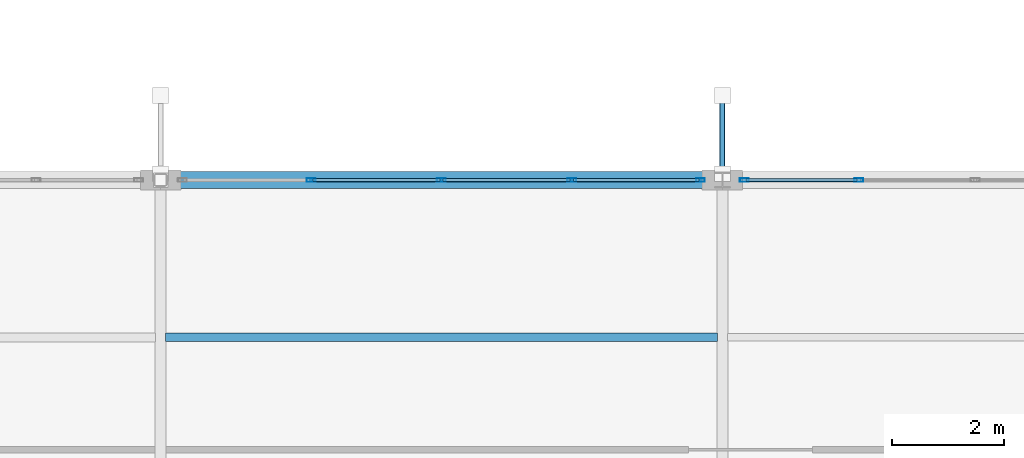
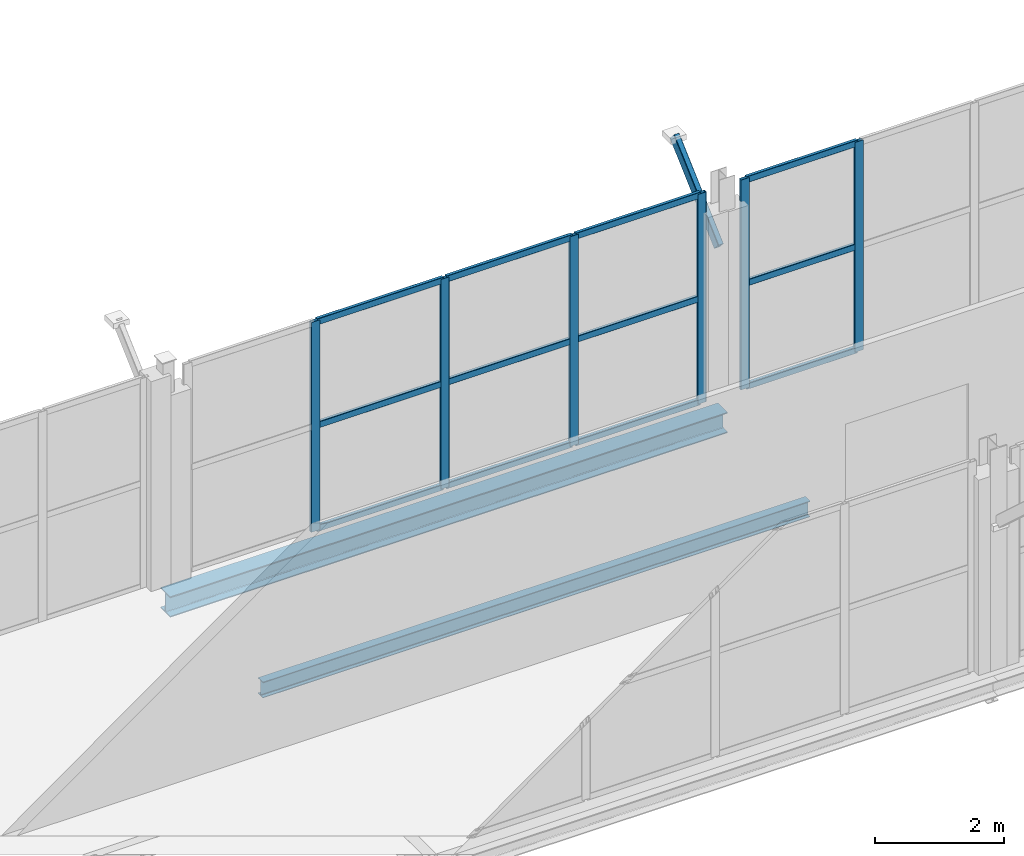
# One storey, part 60 of 101: 19 members, 2 beams, 2 elements without a shape of their own.
"""IFC4 building model written with IfcOpenShell, lengths in metres."""

from ifc_helpers import new_model, si_unit, direction, frame, origin, origin_2d, place, context, subcontext, project, spatial, hollow_rectangle, i_section, extrude, material, layer, layer_set, material_profile, profile_set, type_object, element, aggregate, save


model = new_model("IFC4")

# Units and contexts
model_context = context("Model", 3, precision=1e-05, world=origin(), true_north=direction((0.0, 1.0)))
body_context = subcontext(model_context, "Body", "Model", "MODEL_VIEW")
ifc_project = project(units=[si_unit("LENGTHUNIT", "METRE"), si_unit("AREAUNIT", "SQUARE_METRE"), si_unit("VOLUMEUNIT", "CUBIC_METRE"), si_unit("PLANEANGLEUNIT", "RADIAN"), si_unit("MASSUNIT", "GRAM", prefix="KILO")], contexts=[model_context])

# Site, building, storey
site_placement = place(None, origin())
site = spatial("IfcSite", under=ifc_project, at=site_placement, CompositionType="ELEMENT")
building_placement = place(site_placement, origin())
building = spatial("IfcBuilding", under=site, at=building_placement, Name="Vekula Escarpment Museum", CompositionType="ELEMENT")
storey_placement = place(building_placement, frame((0.0, 0.0, 18.0)))
storey = spatial("IfcBuildingStorey", under=building, at=storey_placement, Name="L04", CompositionType="ELEMENT", Elevation=18.0)

# Beams
ifc_material_1 = material(Name="Steel S355", Category="steel")
ifc_material_profile_1 = material_profile(ifc_material_1, i_section(OverallWidth=0.14990234375, OverallDepth=0.300048828125, WebThickness=0.007080078125, FlangeThickness=0.0107421875, FilletRadius=0.014892578125, at=origin_2d()), Name="IPE 300")
ifc_profile_set_1 = profile_set([ifc_material_profile_1], Name="Steel S355")
beam_type_1 = type_object("IfcBeamType", Name="BM-JST-IPE300", PredefinedType="JOIST", material=ifc_profile_set_1)
beam_1_placement = place(storey_placement, frame((136.090087890625, 73.60009765625, -0.389892578125), z_axis=(1.0, 0.0, 0.0), x_axis=(0.0, 1.0, 0.0)))
element("IfcBeam", 1, at=beam_1_placement, inside=storey, type_object=beam_type_1, Name="Secondary Joist L04 1241", PredefinedType="JOIST", context=body_context, shape_type="SweptSolid", body=[
    extrude(i_section(OverallWidth=0.14990234375, OverallDepth=0.300048828125, WebThickness=0.007080078125, FlangeThickness=0.0107421875, FilletRadius=0.014892578125, at=origin_2d()), origin(), (0.0, 0.0, 1.0), 9.81982421875),
])
ifc_material_2 = material(Name="Steel S355", Category="steel")
ifc_material_profile_2 = material_profile(ifc_material_2, i_section(OverallWidth=0.300048828125, OverallDepth=0.389892578125, WebThickness=0.010986328125, FlangeThickness=0.01904296875, FilletRadius=0.027099609375, at=origin_2d()), Name="HEA 400")
ifc_profile_set_2 = profile_set([ifc_material_profile_2], Name="Steel S355")
beam_type_2 = type_object("IfcBeamType", Name="BM-SPAN-HEA400", PredefinedType="SPANDREL", material=ifc_profile_set_2)
beam_2_placement = place(storey_placement, frame((136.0, 76.39990234375, -0.43505859375), z_axis=(1.0, 0.0, 0.0), x_axis=(0.0, 1.0, 0.0)))
element("IfcBeam", 2, at=beam_2_placement, inside=storey, type_object=beam_type_2, Name="Beam X L04 1757", PredefinedType="SPANDREL", context=body_context, shape_type="SweptSolid", body=[
    extrude(i_section(OverallWidth=0.300048828125, OverallDepth=0.389892578125, WebThickness=0.010986328125, FlangeThickness=0.01904296875, FilletRadius=0.027099609375, at=origin_2d()), origin(), (0.0, 0.0, 1.0), 10.0),
])

# Curtain wall, members
ifc_material_3 = material(Name="Aluminium thermally broken framing", Category="aluminium")
ifc_layer_1 = layer(ifc_material_3, 0.14990234375)
ifc_layer_set_1 = layer_set([ifc_layer_1], Name="Aluminium thermally broken framing")
curtain_wall_type_1 = type_object("IfcCurtainWallType", Name="CW-SYS-09", PredefinedType="NOTDEFINED", material=ifc_layer_set_1)
curtain_wall_1_placement = place(storey_placement, origin())
curtain_wall_1 = element("IfcCurtainWall", 3, at=curtain_wall_1_placement, inside=storey, type_object=curtain_wall_type_1, Name="Curtain Wall CW-L04-149", PredefinedType="NOTDEFINED")
ifc_material_4 = material(Name="Aluminium anodized mullion", Category="aluminium")
ifc_material_profile_3 = material_profile(ifc_material_4, hollow_rectangle(XDim=0.06005859375, YDim=0.159912109375, WallThickness=0.00390625, InnerFilletRadius=0.00390625, OuterFilletRadius=0.008056640625, at=origin_2d()), Name="ALU 160x60x4")
ifc_profile_set_3 = profile_set([ifc_material_profile_3], Name="Aluminium anodized mullion")
member_type_1 = type_object("IfcMemberType", Name="CW-MUL-160", PredefinedType="MULLION", material=ifc_profile_set_3)
member_1_placement = place(storey_placement, frame((148.429931640625, 76.39990234375, 0.0), z_axis=(0.0, 0.0, 1.0), x_axis=(0.0, -1.0, 0.0)))
member_1 = element("IfcMember", 4, at=member_1_placement, type_object=member_type_1, Name="CW-09 mullion 4", PredefinedType="MULLION", context=body_context, shape_type="SweptSolid", body=[
    extrude(hollow_rectangle(XDim=0.06005859375, YDim=0.159912109375, WallThickness=0.00390625, InnerFilletRadius=0.00390625, OuterFilletRadius=0.008056640625, at=origin_2d()), origin(), (0.0, 0.0, 1.0), 3.97998046875),
])
member_2_placement = place(storey_placement, frame((146.389892578125, 76.39990234375, 0.0), z_axis=(0.0, 0.0, 1.0), x_axis=(0.0, -1.0, 0.0)))
member_2 = element("IfcMember", 5, at=member_2_placement, type_object=member_type_1, Name="CW-09 mullion 5", PredefinedType="MULLION", context=body_context, shape_type="SweptSolid", body=[
    extrude(hollow_rectangle(XDim=0.06005859375, YDim=0.159912109375, WallThickness=0.00390625, InnerFilletRadius=0.00390625, OuterFilletRadius=0.008056640625, at=origin_2d()), origin(), (0.0, 0.0, 1.0), 3.97998046875),
])

ifc_material_5 = material(Name="Aluminium thermally broken framing", Category="aluminium")
ifc_layer_2 = layer(ifc_material_5, 0.169921875)
ifc_layer_set_2 = layer_set([ifc_layer_2], Name="Aluminium thermally broken framing")
curtain_wall_type_2 = type_object("IfcCurtainWallType", Name="CW-SYS-10", PredefinedType="NOTDEFINED", material=ifc_layer_set_2)
curtain_wall_2_placement = place(storey_placement, origin())
curtain_wall_2 = element("IfcCurtainWall", 6, at=curtain_wall_2_placement, inside=storey, type_object=curtain_wall_type_2, Name="Curtain Wall CW-L04-150", PredefinedType="NOTDEFINED")
member_3_placement = place(storey_placement, frame((145.610107421875, 76.39990234375, 0.0), z_axis=(0.0, 0.0, 1.0), x_axis=(0.0, -1.0, 0.0)))
member_3 = element("IfcMember", 7, at=member_3_placement, type_object=member_type_1, Name="CW-10 mullion 1", PredefinedType="MULLION", context=body_context, shape_type="SweptSolid", body=[
    extrude(hollow_rectangle(XDim=0.06005859375, YDim=0.159912109375, WallThickness=0.00390625, InnerFilletRadius=0.00390625, OuterFilletRadius=0.008056640625, at=origin_2d()), origin(), (0.0, 0.0, 1.0), 3.97998046875),
])
member_4_placement = place(storey_placement, frame((143.320068359375, 76.39990234375, 0.0), z_axis=(0.0, 0.0, 1.0), x_axis=(0.0, -1.0, 0.0)))
member_4 = element("IfcMember", 8, at=member_4_placement, type_object=member_type_1, Name="CW-10 mullion 2", PredefinedType="MULLION", context=body_context, shape_type="SweptSolid", body=[
    extrude(hollow_rectangle(XDim=0.06005859375, YDim=0.159912109375, WallThickness=0.00390625, InnerFilletRadius=0.00390625, OuterFilletRadius=0.008056640625, at=origin_2d()), origin(), (0.0, 0.0, 1.0), 3.97998046875),
])
member_5_placement = place(storey_placement, frame((141.0, 76.39990234375, 0.0), z_axis=(0.0, 0.0, 1.0), x_axis=(0.0, -1.0, 0.0)))
member_5 = element("IfcMember", 9, at=member_5_placement, type_object=member_type_1, Name="CW-10 mullion 3", PredefinedType="MULLION", context=body_context, shape_type="SweptSolid", body=[
    extrude(hollow_rectangle(XDim=0.06005859375, YDim=0.159912109375, WallThickness=0.00390625, InnerFilletRadius=0.00390625, OuterFilletRadius=0.008056640625, at=origin_2d()), origin(), (0.0, 0.0, 1.0), 3.97998046875),
])
member_6_placement = place(storey_placement, frame((138.679931640625, 76.39990234375, 0.0), z_axis=(0.0, 0.0, 1.0), x_axis=(0.0, -1.0, 0.0)))
member_6 = element("IfcMember", 10, at=member_6_placement, type_object=member_type_1, Name="CW-10 mullion 4", PredefinedType="MULLION", context=body_context, shape_type="SweptSolid", body=[
    extrude(hollow_rectangle(XDim=0.06005859375, YDim=0.159912109375, WallThickness=0.00390625, InnerFilletRadius=0.00390625, OuterFilletRadius=0.008056640625, at=origin_2d()), origin(), (0.0, 0.0, 1.0), 3.97998046875),
])

# Member
ifc_material_6 = material(Name="Aluminium anodized transom", Category="aluminium")
ifc_material_profile_4 = material_profile(ifc_material_6, hollow_rectangle(XDim=0.06005859375, YDim=0.1201171875, WallThickness=0.00390625, InnerFilletRadius=0.00390625, OuterFilletRadius=0.008056640625, at=origin_2d()), Name="ALU 120x60x4")
ifc_profile_set_4 = profile_set([ifc_material_profile_4], Name="Aluminium anodized transom")
member_type_2 = type_object("IfcMemberType", Name="CW-TRN-120", PredefinedType="USERDEFINED", material=ifc_profile_set_4)
member_7_placement = place(storey_placement, frame((148.39990234375, 76.39990234375, 0.030029296875), z_axis=(-1.0, 0.0, 0.0), x_axis=(0.0, -1.0, 0.0)))
member_7 = element("IfcMember", 11, at=member_7_placement, type_object=member_type_2, Name="CW-09 transom 4.1", ObjectType="TRANSOM", PredefinedType="USERDEFINED", context=body_context, shape_type="SweptSolid", body=[
    extrude(hollow_rectangle(XDim=0.06005859375, YDim=0.1201171875, WallThickness=0.00390625, InnerFilletRadius=0.00390625, OuterFilletRadius=0.008056640625, at=origin_2d()), origin(), (0.0, 0.0, 1.0), 1.97998046875),
])

member_8_placement = place(storey_placement, frame((148.39990234375, 76.39990234375, 1.989990234375), z_axis=(-1.0, 0.0, 0.0), x_axis=(0.0, -1.0, 0.0)))
member_8 = element("IfcMember", 12, at=member_8_placement, type_object=member_type_2, Name="CW-09 transom 4.2", ObjectType="TRANSOM", PredefinedType="USERDEFINED", context=body_context, shape_type="SweptSolid", body=[
    extrude(hollow_rectangle(XDim=0.06005859375, YDim=0.1201171875, WallThickness=0.00390625, InnerFilletRadius=0.00390625, OuterFilletRadius=0.008056640625, at=origin_2d()), origin(), (0.0, 0.0, 1.0), 1.97998046875),
])

member_9_placement = place(storey_placement, frame((148.39990234375, 76.39990234375, 3.949951171875), z_axis=(-1.0, 0.0, 0.0), x_axis=(0.0, -1.0, 0.0)))
member_9 = element("IfcMember", 13, at=member_9_placement, type_object=member_type_2, Name="CW-09 transom 4.3", ObjectType="TRANSOM", PredefinedType="USERDEFINED", context=body_context, shape_type="SweptSolid", body=[
    extrude(hollow_rectangle(XDim=0.06005859375, YDim=0.1201171875, WallThickness=0.00390625, InnerFilletRadius=0.00390625, OuterFilletRadius=0.008056640625, at=origin_2d()), origin(), (0.0, 0.0, 1.0), 1.97998046875),
])

aggregate(curtain_wall_1, [member_1, member_2, member_7, member_8, member_9])

member_10_placement = place(storey_placement, frame((145.580078125, 76.39990234375, 0.030029296875), z_axis=(-1.0, 0.0, 0.0), x_axis=(0.0, -1.0, 0.0)))
member_10 = element("IfcMember", 14, at=member_10_placement, type_object=member_type_2, Name="CW-10 transom 1.1", ObjectType="TRANSOM", PredefinedType="USERDEFINED", context=body_context, shape_type="SweptSolid", body=[
    extrude(hollow_rectangle(XDim=0.06005859375, YDim=0.1201171875, WallThickness=0.00390625, InnerFilletRadius=0.00390625, OuterFilletRadius=0.008056640625, at=origin_2d()), origin(), (0.0, 0.0, 1.0), 2.22998046875),
])

member_11_placement = place(storey_placement, frame((145.580078125, 76.39990234375, 1.989990234375), z_axis=(-1.0, 0.0, 0.0), x_axis=(0.0, -1.0, 0.0)))
member_11 = element("IfcMember", 15, at=member_11_placement, type_object=member_type_2, Name="CW-10 transom 1.2", ObjectType="TRANSOM", PredefinedType="USERDEFINED", context=body_context, shape_type="SweptSolid", body=[
    extrude(hollow_rectangle(XDim=0.06005859375, YDim=0.1201171875, WallThickness=0.00390625, InnerFilletRadius=0.00390625, OuterFilletRadius=0.008056640625, at=origin_2d()), origin(), (0.0, 0.0, 1.0), 2.22998046875),
])

member_12_placement = place(storey_placement, frame((145.580078125, 76.39990234375, 3.949951171875), z_axis=(-1.0, 0.0, 0.0), x_axis=(0.0, -1.0, 0.0)))
member_12 = element("IfcMember", 16, at=member_12_placement, type_object=member_type_2, Name="CW-10 transom 1.3", ObjectType="TRANSOM", PredefinedType="USERDEFINED", context=body_context, shape_type="SweptSolid", body=[
    extrude(hollow_rectangle(XDim=0.06005859375, YDim=0.1201171875, WallThickness=0.00390625, InnerFilletRadius=0.00390625, OuterFilletRadius=0.008056640625, at=origin_2d()), origin(), (0.0, 0.0, 1.0), 2.22998046875),
])

member_13_placement = place(storey_placement, frame((143.2900390625, 76.39990234375, 0.030029296875), z_axis=(-1.0, 0.0, 0.0), x_axis=(0.0, -1.0, 0.0)))
member_13 = element("IfcMember", 17, at=member_13_placement, type_object=member_type_2, Name="CW-10 transom 2.1", ObjectType="TRANSOM", PredefinedType="USERDEFINED", context=body_context, shape_type="SweptSolid", body=[
    extrude(hollow_rectangle(XDim=0.06005859375, YDim=0.1201171875, WallThickness=0.00390625, InnerFilletRadius=0.00390625, OuterFilletRadius=0.008056640625, at=origin_2d()), origin(), (0.0, 0.0, 1.0), 2.260009765625),
])

member_14_placement = place(storey_placement, frame((143.2900390625, 76.39990234375, 1.989990234375), z_axis=(-1.0, 0.0, 0.0), x_axis=(0.0, -1.0, 0.0)))
member_14 = element("IfcMember", 18, at=member_14_placement, type_object=member_type_2, Name="CW-10 transom 2.2", ObjectType="TRANSOM", PredefinedType="USERDEFINED", context=body_context, shape_type="SweptSolid", body=[
    extrude(hollow_rectangle(XDim=0.06005859375, YDim=0.1201171875, WallThickness=0.00390625, InnerFilletRadius=0.00390625, OuterFilletRadius=0.008056640625, at=origin_2d()), origin(), (0.0, 0.0, 1.0), 2.260009765625),
])

member_15_placement = place(storey_placement, frame((143.2900390625, 76.39990234375, 3.949951171875), z_axis=(-1.0, 0.0, 0.0), x_axis=(0.0, -1.0, 0.0)))
member_15 = element("IfcMember", 19, at=member_15_placement, type_object=member_type_2, Name="CW-10 transom 2.3", ObjectType="TRANSOM", PredefinedType="USERDEFINED", context=body_context, shape_type="SweptSolid", body=[
    extrude(hollow_rectangle(XDim=0.06005859375, YDim=0.1201171875, WallThickness=0.00390625, InnerFilletRadius=0.00390625, OuterFilletRadius=0.008056640625, at=origin_2d()), origin(), (0.0, 0.0, 1.0), 2.260009765625),
])

member_16_placement = place(storey_placement, frame((140.969970703125, 76.39990234375, 0.030029296875), z_axis=(-1.0, 0.0, 0.0), x_axis=(0.0, -1.0, 0.0)))
member_16 = element("IfcMember", 20, at=member_16_placement, type_object=member_type_2, Name="CW-10 transom 3.1", ObjectType="TRANSOM", PredefinedType="USERDEFINED", context=body_context, shape_type="SweptSolid", body=[
    extrude(hollow_rectangle(XDim=0.06005859375, YDim=0.1201171875, WallThickness=0.00390625, InnerFilletRadius=0.00390625, OuterFilletRadius=0.008056640625, at=origin_2d()), origin(), (0.0, 0.0, 1.0), 2.260009765625),
])

member_17_placement = place(storey_placement, frame((140.969970703125, 76.39990234375, 1.989990234375), z_axis=(-1.0, 0.0, 0.0), x_axis=(0.0, -1.0, 0.0)))
member_17 = element("IfcMember", 21, at=member_17_placement, type_object=member_type_2, Name="CW-10 transom 3.2", ObjectType="TRANSOM", PredefinedType="USERDEFINED", context=body_context, shape_type="SweptSolid", body=[
    extrude(hollow_rectangle(XDim=0.06005859375, YDim=0.1201171875, WallThickness=0.00390625, InnerFilletRadius=0.00390625, OuterFilletRadius=0.008056640625, at=origin_2d()), origin(), (0.0, 0.0, 1.0), 2.260009765625),
])

member_18_placement = place(storey_placement, frame((140.969970703125, 76.39990234375, 3.949951171875), z_axis=(-1.0, 0.0, 0.0), x_axis=(0.0, -1.0, 0.0)))
member_18 = element("IfcMember", 22, at=member_18_placement, type_object=member_type_2, Name="CW-10 transom 3.3", ObjectType="TRANSOM", PredefinedType="USERDEFINED", context=body_context, shape_type="SweptSolid", body=[
    extrude(hollow_rectangle(XDim=0.06005859375, YDim=0.1201171875, WallThickness=0.00390625, InnerFilletRadius=0.00390625, OuterFilletRadius=0.008056640625, at=origin_2d()), origin(), (0.0, 0.0, 1.0), 2.260009765625),
])

aggregate(curtain_wall_2, [member_3, member_4, member_5, member_6, member_10, member_11, member_12, member_13, member_14, member_15, member_16, member_17, member_18])

ifc_material_7 = material(Name="Steel S355", Category="steel")
ifc_material_profile_5 = material_profile(ifc_material_7, hollow_rectangle(XDim=0.10009765625, YDim=0.199951171875, WallThickness=0.008056640625, InnerFilletRadius=0.008056640625, OuterFilletRadius=0.01611328125, at=origin_2d()), Name="RHS 200x100x8")
ifc_profile_set_5 = profile_set([ifc_material_profile_5], Name="Steel S355")
member_type_3 = type_object("IfcMemberType", Name="MB-SACAK-BRK", PredefinedType="STRUT", material=ifc_profile_set_5)
member_19_placement = place(storey_placement, frame((146.0, 76.52001953125, 2.75), z_axis=(0.0, 0.738454378718, 0.674303441006), x_axis=(-1.0, 0.0, 0.0)))
element("IfcMember", 23, at=member_19_placement, inside=storey, type_object=member_type_3, Name="Ottoman Sacak Eave Bracket L05-0126", PredefinedType="STRUT", context=body_context, shape_type="SweptSolid", body=[
    extrude(hollow_rectangle(XDim=0.10009765625, YDim=0.199951171875, WallThickness=0.008056640625, InnerFilletRadius=0.008056640625, OuterFilletRadius=0.01611328125, at=origin_2d()), origin(), (0.0, 0.0, 1.0), 1.86865234375),
])

save(model, "model.ifc")
